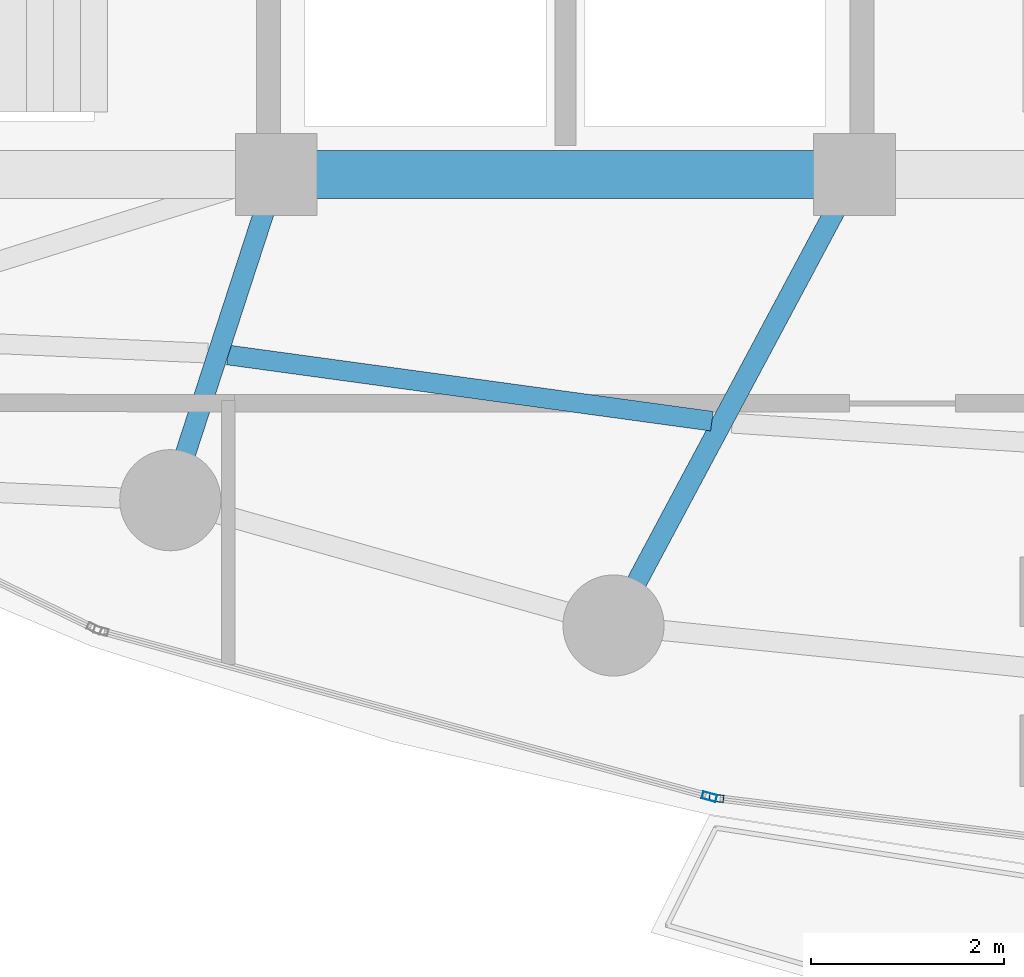
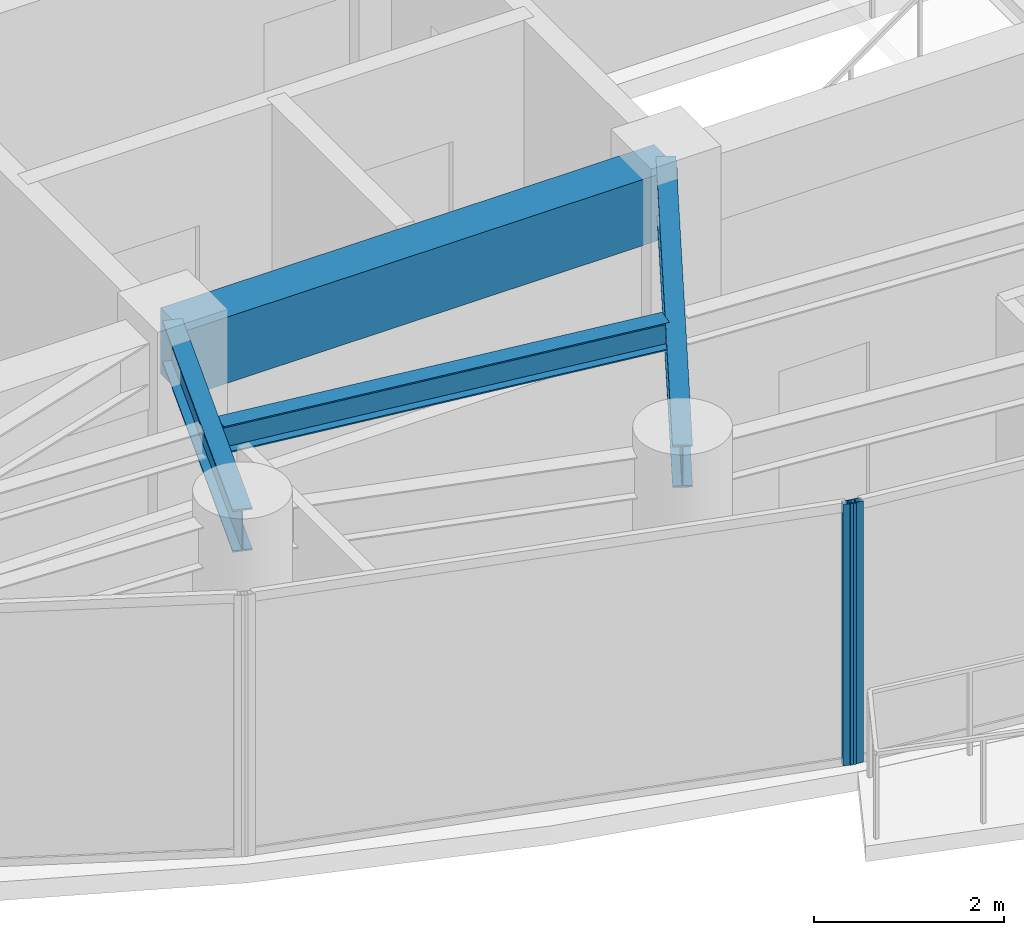
# One storey, part 5 of 31: 4 beams, 2 members, 2 elements without a shape of their own.
"""IFC4 building model written with IfcOpenShell, lengths in metres."""

from ifc_helpers import new_model, si_unit, direction, frame, origin, origin_2d, place, context, subcontext, project, spatial, rectangle, hollow_rectangle, i_section, extrude, material, layer, layer_set, material_profile, profile_set, type_object, element, aggregate, save


model = new_model("IFC4")

# Units and contexts
model_context = context("Model", 3, precision=1e-05, world=origin(), true_north=direction((0.0, 1.0)))
body_context = subcontext(model_context, "Body", "Model", "MODEL_VIEW")
ifc_project = project(units=[si_unit("LENGTHUNIT", "METRE"), si_unit("AREAUNIT", "SQUARE_METRE"), si_unit("VOLUMEUNIT", "CUBIC_METRE"), si_unit("PLANEANGLEUNIT", "RADIAN"), si_unit("MASSUNIT", "GRAM", prefix="KILO")], contexts=[model_context])

# Site, building, storey
site_placement = place(None, origin())
site = spatial("IfcSite", under=ifc_project, at=site_placement, CompositionType="ELEMENT")
building_placement = place(site_placement, origin())
building = spatial("IfcBuilding", under=site, at=building_placement, Name="Kazevale Care Tower and Concert Hall", CompositionType="ELEMENT")
storey_placement = place(building_placement, frame((0.0, 0.0, 206.39990234375)))
storey = spatial("IfcBuildingStorey", under=building, at=storey_placement, Name="L54", CompositionType="ELEMENT", Elevation=206.39990234375)

# Curtain wall, member
ifc_material_1 = material(Name="Aluminium 6063-T6 and Low-E Glass", Category="aluminium")
ifc_layer = layer(ifc_material_1, 0.179931640625)
ifc_layer_set = layer_set([ifc_layer], Name="Aluminium 6063-T6 and Low-E Glass")
curtain_wall_type = type_object("IfcCurtainWallType", Name="Sheltered Concave Balcony Curtain Wall CW-5", PredefinedType="NOTDEFINED", material=ifc_layer_set)
curtain_wall_1_placement = place(storey_placement, origin())
curtain_wall_1 = element("IfcCurtainWall", 1, at=curtain_wall_1_placement, inside=storey, type_object=curtain_wall_type, Name="cw:L54:f07", PredefinedType="NOTDEFINED")
ifc_material_2 = material(Name="Aluminium 6063-T6", Category="aluminium")
ifc_material_profile_1 = material_profile(ifc_material_2, hollow_rectangle(XDim=0.074951171875, YDim=0.14990234375, WallThickness=0.00390625, at=origin_2d()), Name="ALU75x150x4")
ifc_profile_set_1 = profile_set([ifc_material_profile_1], Name="Aluminium 6063-T6")
member_type = type_object("IfcMemberType", Name="CW-5 Mullion ALU75x150x4", PredefinedType="MULLION", material=ifc_profile_set_1)
member_1_placement = place(storey_placement, frame((34.568115234375, 17.12841796875, 0.0), z_axis=(0.0, 0.0, 1.0), x_axis=(-0.121650797964, -0.992572961225, 0.0)))
member_1 = element("IfcMember", 2, at=member_1_placement, type_object=member_type, Name="CW-5 mullion 2", PredefinedType="MULLION", context=body_context, shape_type="SweptSolid", body=[
    extrude(hollow_rectangle(XDim=0.074951171875, YDim=0.14990234375, WallThickness=0.00390625, at=origin_2d()), origin(), (0.0, 0.0, 1.0), 3.360107421875),
])
aggregate(curtain_wall_1, [member_1])

curtain_wall_2_placement = place(storey_placement, origin())
curtain_wall_2 = element("IfcCurtainWall", 3, at=curtain_wall_2_placement, inside=storey, type_object=curtain_wall_type, Name="cw:L54:f08", PredefinedType="NOTDEFINED")
member_2_placement = place(storey_placement, frame((34.494873046875, 17.142822265625, 0.0), z_axis=(0.0, 0.0, 1.0), x_axis=(-0.262848968947, -0.964836991167, 0.0)))
member_2 = element("IfcMember", 4, at=member_2_placement, type_object=member_type, Name="CW-5 mullion 1", PredefinedType="MULLION", context=body_context, shape_type="SweptSolid", body=[
    extrude(hollow_rectangle(XDim=0.074951171875, YDim=0.14990234375, WallThickness=0.00390625, at=origin_2d()), origin(), (0.0, 0.0, 1.0), 3.360107421875),
])
aggregate(curtain_wall_2, [member_2])

# Beams
ifc_material_3 = material(Name="Concrete C60", Category="concrete")
ifc_material_profile_2 = material_profile(ifc_material_3, rectangle(XDim=0.5, YDim=0.85009765625, at=origin_2d()), Name="RC-B500x850")
ifc_profile_set_2 = profile_set([ifc_material_profile_2], Name="Concrete C60")
beam_type_1 = type_object("IfcBeamType", Name="Core Coupling Beam RC500x850", PredefinedType="LINTEL", material=ifc_profile_set_2)
beam_1_placement = place(storey_placement, frame((30.0, 23.60009765625, 2.93505859375), z_axis=(1.0, 0.0, 0.0), x_axis=(0.0, 1.0, 0.0)))
element("IfcBeam", 5, at=beam_1_placement, inside=storey, type_object=beam_type_1, Name="beam:L54:coretie:2", PredefinedType="LINTEL", context=body_context, shape_type="SweptSolid", body=[
    extrude(rectangle(XDim=0.5, YDim=0.85009765625, at=origin_2d()), origin(), (0.0, 0.0, 1.0), 6.0),
])
ifc_material_4 = material(Name="Steel ASTM A572 Gr 50", Category="steel")
ifc_material_profile_3 = material_profile(ifc_material_4, i_section(OverallWidth=0.2119140625, OverallDepth=0.5439453125, WebThickness=0.01318359375, FlangeThickness=0.021240234375, at=origin_2d()), Name="W530x123")
ifc_profile_set_3 = profile_set([ifc_material_profile_3], Name="Steel ASTM A572 Gr 50")
beam_type_2 = type_object("IfcBeamType", Name="Radial Floor Girder W530x123", PredefinedType="BEAM", material=ifc_profile_set_3)
beam_2_placement = place(storey_placement, frame((30.0, 23.60009765625, 3.088134765625), z_axis=(-0.309482065101, -0.950905279921, 0.0), x_axis=(0.950905279921, -0.309482065101, 0.0)))
element("IfcBeam", 6, at=beam_2_placement, inside=storey, type_object=beam_type_2, Name="beam:L54:rad:11", PredefinedType="BEAM", context=body_context, shape_type="SweptSolid", body=[
    extrude(i_section(OverallWidth=0.2119140625, OverallDepth=0.5439453125, WebThickness=0.01318359375, FlangeThickness=0.021240234375, at=origin_2d()), origin(), (0.0, 0.0, 1.0), 3.5546875),
])
beam_3_placement = place(storey_placement, frame((36.0, 23.60009765625, 3.088134765625), z_axis=(-0.471161293943, -0.88204707079, 0.0), x_axis=(0.88204707079, -0.471161293943, 0.0)))
element("IfcBeam", 7, at=beam_3_placement, inside=storey, type_object=beam_type_2, Name="beam:L54:rad:12", PredefinedType="BEAM", context=body_context, shape_type="SweptSolid", body=[
    extrude(i_section(OverallWidth=0.2119140625, OverallDepth=0.5439453125, WebThickness=0.01318359375, FlangeThickness=0.021240234375, at=origin_2d()), origin(), (0.0, 0.0, 1.0), 5.30615234375),
])
ifc_material_profile_4 = material_profile(ifc_material_4, i_section(OverallWidth=0.205078125, OverallDepth=0.35400390625, WebThickness=0.009521484375, FlangeThickness=0.016845703125, at=origin_2d()), Name="W360x79")
ifc_profile_set_4 = profile_set([ifc_material_profile_4], Name="Steel ASTM A572 Gr 50")
beam_type_3 = type_object("IfcBeamType", Name="Secondary Floor Joist W360x79", PredefinedType="JOIST", material=ifc_profile_set_4)
beam_4_placement = place(storey_placement, frame((29.4990234375, 21.72705078125, 3.18310546875), z_axis=(0.990772043119, -0.13553877148, 0.0), x_axis=(0.13553877148, 0.990772043119, 0.0)))
element("IfcBeam", 8, at=beam_4_placement, inside=storey, type_object=beam_type_3, Name="beam:L54:joist:11", PredefinedType="JOIST", context=body_context, shape_type="SweptSolid", body=[
    extrude(i_section(OverallWidth=0.205078125, OverallDepth=0.35400390625, WebThickness=0.009521484375, FlangeThickness=0.016845703125, at=origin_2d()), origin(), (0.0, 0.0, 1.0), 5.06884765625),
])

save(model, "model.ifc")
